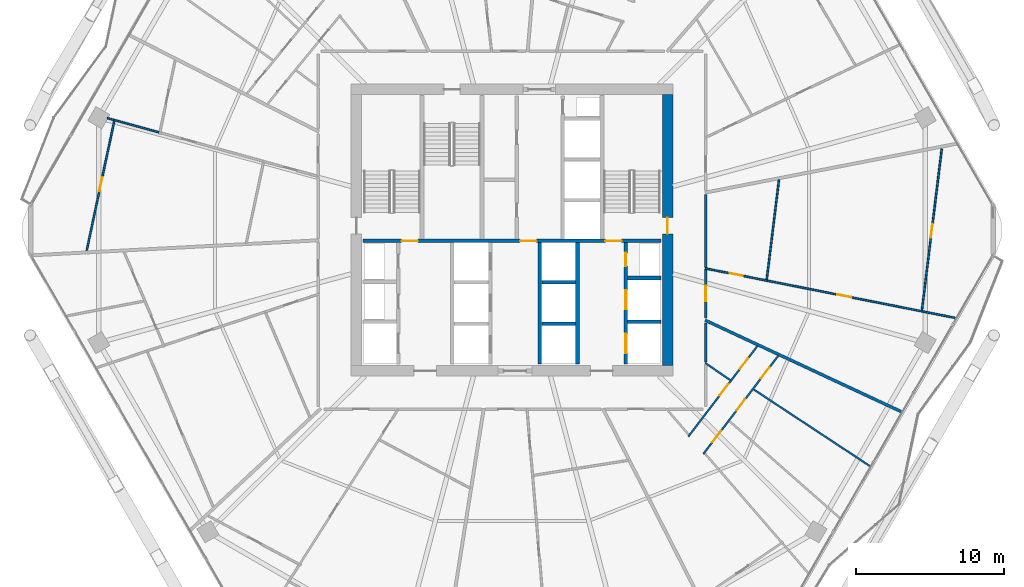
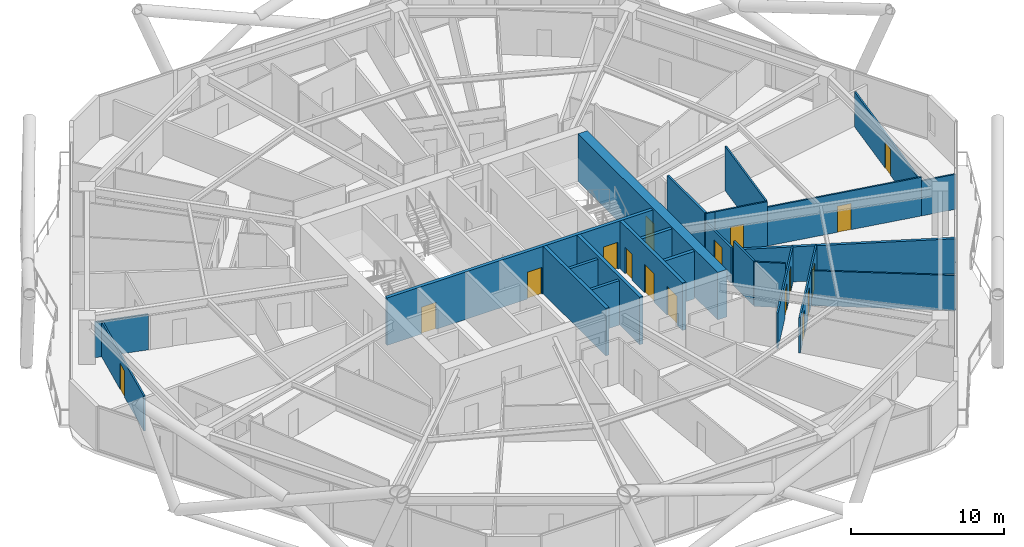
# One storey, part 29 of 34: 26 walls, 17 doors, 17 openings.
"""IFC4 building model written with IfcOpenShell, lengths in metres."""

from ifc_helpers import new_model, si_unit, direction, frame, frame_2d, origin, place, context, subcontext, project, spatial, rectangle, extrude, material, layer, layer_set, type_object, element, fill, save


model = new_model("IFC4")

# Units and contexts
model_context = context("Model", 3, precision=1e-05, world=origin(), true_north=direction((0.0, 1.0)))
body_context = subcontext(model_context, "Body", "Model", "MODEL_VIEW")
ifc_project = project(units=[si_unit("LENGTHUNIT", "METRE"), si_unit("AREAUNIT", "SQUARE_METRE"), si_unit("VOLUMEUNIT", "CUBIC_METRE"), si_unit("PLANEANGLEUNIT", "RADIAN"), si_unit("MASSUNIT", "GRAM", prefix="KILO")], contexts=[model_context])

# Site, building, storey
site_placement = place(None, origin())
site = spatial("IfcSite", under=ifc_project, at=site_placement, CompositionType="ELEMENT")
building_placement = place(site_placement, origin())
building = spatial("IfcBuilding", under=site, at=building_placement, Name="Zuhravey Tower", CompositionType="ELEMENT")
storey_placement = place(building_placement, frame((0.0, 0.0, 130.39990234375)))
storey = spatial("IfcBuildingStorey", under=building, at=storey_placement, Name="L32", CompositionType="ELEMENT", Elevation=130.39990234375)

# Wall, opening, door
ifc_material_1 = material(Name="Concrete C60/75", Category="concrete")
ifc_layer_1 = layer(ifc_material_1, 0.699951171875)
ifc_layer_set_1 = layer_set([ifc_layer_1], Name="Concrete C60/75")
wall_type_1 = type_object("IfcWallType", Name="Core Shear Wall 700", PredefinedType="SHEAR", material=ifc_layer_set_1)
wall_1_placement = place(storey_placement, frame((46.5, 22.85009765625, 0.0), z_axis=(0.0, 0.0, 1.0), x_axis=(0.0, 1.0, 0.0)))
wall_1 = element("IfcWall", 1, at=wall_1_placement, inside=storey, type_object=wall_type_1, Name="L32 East Core Shear Wall CW70", PredefinedType="SHEAR", context=body_context, shape_type="SweptSolid", body=[
    extrude(rectangle(XDim=18.2998046875, YDim=0.699951171875, at=frame_2d((9.14990234375, 0.0))), origin(), (0.0, 0.0, 1.0), 3.800048828125),
])
opening_1_placement = place(wall_1_placement, frame((8.89990234375, 0.0, 0.0)))
opening_1 = element("IfcOpeningElement", 2, at=opening_1_placement, cuts=wall_1, Name="Opening STD1", PredefinedType="OPENING", context=body_context, shape_type="SweptSolid", body=[
    extrude(rectangle(XDim=1.10009765625, YDim=2.14990234375, at=frame_2d((0.550048828125, 1.074951171875))), frame((0.0, 0.362060546875, 0.0), z_axis=(0.0, -1.0, 0.0), x_axis=(1.0, 0.0, 0.0)), (0.0, 0.0, 1.0), 0.723876953125),
])
ifc_material_2 = material(Name="Galvanised fire-rated steel leaf", Category="steel")
door_type_1 = type_object("IfcDoorType", Name="Protected Stair Fire Door 1100x2150", OperationType="NOTDEFINED", PredefinedType="USERDEFINED", material=ifc_material_2)
door_1_placement = place(opening_1_placement, origin())
door_1 = element("IfcDoor", 3, at=door_1_placement, inside=storey, type_object=door_type_1, Name="L32 Stair ST2 Door", ObjectType="EXITDOOR", OperationType="SINGLE_SWING_LEFT", OverallHeight=2.14990234375, OverallWidth=1.10009765625, PredefinedType="USERDEFINED", context=body_context, shape_type="SweptSolid", body=[
    extrude(rectangle(XDim=1.10009765625, YDim=2.14990234375, at=frame_2d((0.550048828125, 1.074951171875))), frame((0.0, 0.02490234375, 0.0), z_axis=(0.0, -1.0, 0.0), x_axis=(1.0, 0.0, 0.0)), (0.0, 0.0, 1.0), 0.050048828125),
])
fill(opening_1, door_1)

ifc_material_3 = material(Name="Gypsum fire-rated stud partition")
ifc_layer_2 = layer(ifc_material_3, 0.159912109375)
ifc_layer_set_2 = layer_set([ifc_layer_2], Name="Gypsum fire-rated stud partition")
wall_type_2 = type_object("IfcWallType", Name="Corridor Fire Partition 160", PredefinedType="PARTITIONING", material=ifc_layer_set_2)
wall_2_placement = place(storey_placement, frame((49.080078125, 26.06103515625, 0.0), z_axis=(0.0, 0.0, 1.0), x_axis=(0.0, 1.0, 0.0)))
wall_2 = element("IfcWall", 4, at=wall_2_placement, inside=storey, type_object=wall_type_2, Name="L32 IW16 Partition 066", PredefinedType="PARTITIONING", context=body_context, shape_type="SweptSolid", body=[
    extrude(rectangle(XDim=3.32861328125, YDim=0.159912109375, at=frame_2d((1.664306640625, 0.0))), origin(), (0.0, 0.0, 1.0), 2.85009765625),
])
opening_2_placement = place(wall_2_placement, frame((1.139404296875, 0.0, 0.0)))
opening_2 = element("IfcOpeningElement", 5, at=opening_2_placement, cuts=wall_2, Name="Opening APD1", PredefinedType="OPENING", context=body_context, shape_type="SweptSolid", body=[
    extrude(rectangle(XDim=1.050048828125, YDim=2.14990234375, at=frame_2d((0.52490234375, 1.074951171875))), frame((0.0, 0.092041015625, 0.0), z_axis=(0.0, -1.0, 0.0), x_axis=(1.0, 0.0, 0.0)), (0.0, 0.0, 1.0), 0.183837890625),
])
ifc_material_4 = material(Name="Solid-core oak fire-rated leaf")
door_type_2 = type_object("IfcDoorType", Name="Apartment Entrance Fire Door 1050x2150", OperationType="NOTDEFINED", PredefinedType="DOOR", material=ifc_material_4)
door_2_placement = place(opening_2_placement, frame((1.050048828125, 0.0, 0.0), z_axis=(0.0, 0.0, 1.0), x_axis=(-1.0, 0.0, 0.0)))
door_2 = element("IfcDoor", 6, at=door_2_placement, inside=storey, type_object=door_type_2, Name="L32 Door 066.1", OperationType="SINGLE_SWING_RIGHT", OverallHeight=2.14990234375, OverallWidth=1.050048828125, PredefinedType="DOOR", context=body_context, shape_type="SweptSolid", body=[
    extrude(rectangle(XDim=1.050048828125, YDim=2.14990234375, at=frame_2d((0.52490234375, 1.074951171875))), frame((0.0, 0.02490234375, 0.0), z_axis=(0.0, -1.0, 0.0), x_axis=(1.0, 0.0, 0.0)), (0.0, 0.0, 1.0), 0.050048828125),
])
fill(opening_2, door_2)

# Walls
wall_3_placement = place(storey_placement, frame((49.080078125, 23.093505859375, 0.0), z_axis=(0.0, 0.0, 1.0), x_axis=(0.0, 1.0, 0.0)))
element("IfcWall", 7, at=wall_3_placement, inside=storey, type_object=wall_type_2, Name="L32 IW16 Partition 142", PredefinedType="PARTITIONING", context=body_context, shape_type="SweptSolid", body=[
    extrude(rectangle(XDim=2.6455078125, YDim=0.159912109375, at=frame_2d((1.32275390625, 0.0))), origin(), (0.0, 0.0, 1.0), 3.550048828125),
])
wall_4_placement = place(storey_placement, frame((49.080078125, 29.4794921875, 0.0), z_axis=(0.0, 0.0, 1.0), x_axis=(0.0, 1.0, 0.0)))
element("IfcWall", 8, at=wall_4_placement, inside=storey, type_object=wall_type_2, Name="L32 IW16 Partition 143", PredefinedType="PARTITIONING", context=body_context, shape_type="SweptSolid", body=[
    extrude(rectangle(XDim=4.92431640625, YDim=0.159912109375, at=frame_2d((2.462158203125, 0.0))), origin(), (0.0, 0.0, 1.0), 3.550048828125),
])

# Wall, openings, doors
ifc_material_5 = material(Name="Concrete C50/60", Category="concrete")
ifc_layer_3 = layer(ifc_material_5, 0.25)
ifc_layer_set_3 = layer_set([ifc_layer_3], Name="Concrete C50/60")
wall_type_3 = type_object("IfcWallType", Name="Firefighting Shaft & Stair Wall 250", PredefinedType="SOLIDWALL", material=ifc_layer_set_3)
wall_5_placement = place(storey_placement, frame((25.949951171875, 31.27490234375, 0.0), z_axis=(0.0, 0.0, 1.0), x_axis=(1.0, 0.0, 0.0)))
wall_5 = element("IfcWall", 9, at=wall_5_placement, inside=storey, type_object=wall_type_3, Name="L32 FW25 Shaft Wall 003", PredefinedType="SOLIDWALL", context=body_context, shape_type="SweptSolid", body=[
    extrude(rectangle(XDim=20.10009765625, YDim=0.25, at=frame_2d((10.050048828125, 0.0))), origin(), (0.0, 0.0, 1.0), 3.800048828125),
])
opening_3_placement = place(wall_5_placement, frame((2.60009765625, 0.0, 0.0)))
opening_3 = element("IfcOpeningElement", 10, at=opening_3_placement, cuts=wall_5, Name="Opening STD1", PredefinedType="OPENING", context=body_context, shape_type="SweptSolid", body=[
    extrude(rectangle(XDim=1.10009765625, YDim=2.14990234375, at=frame_2d((0.550048828125, 1.074951171875))), frame((0.0, 0.136962890625, 0.0), z_axis=(0.0, -1.0, 0.0), x_axis=(1.0, 0.0, 0.0)), (0.0, 0.0, 1.0), 0.27392578125),
])
opening_4_placement = place(wall_5_placement, frame((10.60009765625, 0.0, 0.0)))
opening_4 = element("IfcOpeningElement", 11, at=opening_4_placement, cuts=wall_5, Name="Opening STD1", PredefinedType="OPENING", context=body_context, shape_type="SweptSolid", body=[
    extrude(rectangle(XDim=1.10009765625, YDim=2.14990234375, at=frame_2d((0.550048828125, 1.074951171875))), frame((0.0, 0.136962890625, 0.0), z_axis=(0.0, -1.0, 0.0), x_axis=(1.0, 0.0, 0.0)), (0.0, 0.0, 1.0), 0.27392578125),
])
opening_5_placement = place(wall_5_placement, frame((16.35009765625, 0.0, 0.0)))
opening_5 = element("IfcOpeningElement", 12, at=opening_5_placement, cuts=wall_5, Name="Opening STD1", PredefinedType="OPENING", context=body_context, shape_type="SweptSolid", body=[
    extrude(rectangle(XDim=1.10009765625, YDim=2.14990234375, at=frame_2d((0.550048828125, 1.074951171875))), frame((0.0, 0.136962890625, 0.0), z_axis=(0.0, -1.0, 0.0), x_axis=(1.0, 0.0, 0.0)), (0.0, 0.0, 1.0), 0.27392578125),
])
door_3_placement = place(opening_3_placement, origin())
door_3 = element("IfcDoor", 13, at=door_3_placement, inside=storey, type_object=door_type_1, Name="L32 FFL-W to ST1 Door", ObjectType="EXITDOOR", OperationType="SINGLE_SWING_LEFT", OverallHeight=2.14990234375, OverallWidth=1.10009765625, PredefinedType="USERDEFINED", context=body_context, shape_type="SweptSolid", body=[
    extrude(rectangle(XDim=1.10009765625, YDim=2.14990234375, at=frame_2d((0.550048828125, 1.074951171875))), frame((0.0, 0.02490234375, 0.0), z_axis=(0.0, -1.0, 0.0), x_axis=(1.0, 0.0, 0.0)), (0.0, 0.0, 1.0), 0.050048828125),
])
fill(opening_3, door_3)
door_4_placement = place(opening_4_placement, origin())
door_4 = element("IfcDoor", 14, at=door_4_placement, inside=storey, type_object=door_type_1, Name="L32 Core Lobby Link Door", ObjectType="EXITDOOR", OperationType="SINGLE_SWING_RIGHT", OverallHeight=2.14990234375, OverallWidth=1.10009765625, PredefinedType="USERDEFINED", context=body_context, shape_type="SweptSolid", body=[
    extrude(rectangle(XDim=1.10009765625, YDim=2.14990234375, at=frame_2d((0.550048828125, 1.074951171875))), frame((0.0, 0.02490234375, 0.0), z_axis=(0.0, -1.0, 0.0), x_axis=(1.0, 0.0, 0.0)), (0.0, 0.0, 1.0), 0.050048828125),
])
fill(opening_4, door_4)
door_5_placement = place(opening_5_placement, origin())
door_5 = element("IfcDoor", 15, at=door_5_placement, inside=storey, type_object=door_type_1, Name="L32 FFL-E to ST2 Door", ObjectType="EXITDOOR", OperationType="SINGLE_SWING_LEFT", OverallHeight=2.14990234375, OverallWidth=1.10009765625, PredefinedType="USERDEFINED", context=body_context, shape_type="SweptSolid", body=[
    extrude(rectangle(XDim=1.10009765625, YDim=2.14990234375, at=frame_2d((0.550048828125, 1.074951171875))), frame((0.0, 0.02490234375, 0.0), z_axis=(0.0, -1.0, 0.0), x_axis=(1.0, 0.0, 0.0)), (0.0, 0.0, 1.0), 0.050048828125),
])
fill(opening_5, door_5)

# Walls
for number, where, z_axis, x_axis, name in (
    (16, (37.875, 22.949951171875, 0.0), (0.0, 0.0, 1.0), (0.0, 1.0, 0.0), "L32 FW25 Shaft Wall 014"),
    (17, (40.425048828125, 22.949951171875, 0.0), (0.0, 0.0, 1.0), (0.0, 1.0, 0.0), "L32 FW25 Shaft Wall 015"),
):
    element("IfcWall", number, at=place(storey_placement, frame(where, z_axis=z_axis, x_axis=x_axis)), inside=storey, type_object=wall_type_3, Name=name, PredefinedType="SOLIDWALL", context=body_context, shape_type="SweptSolid", body=[
        extrude(rectangle(XDim=8.199951171875, YDim=0.25, at=frame_2d((4.10009765625, 0.0))), origin(), (0.0, 0.0, 1.0), 3.800048828125),
    ])
for number, where, z_axis, x_axis, name in (
    (18, (43.800048828125, 25.824951171875, 0.0), (0.0, 0.0, 1.0), (1.0, 0.0, 0.0), "L32 FW25 Shaft Wall 016"),
    (19, (43.800048828125, 28.77490234375, 0.0), (0.0, 0.0, 1.0), (1.0, 0.0, 0.0), "L32 FW25 Shaft Wall 017"),
):
    element("IfcWall", number, at=place(storey_placement, frame(where, z_axis=z_axis, x_axis=x_axis)), inside=storey, type_object=wall_type_3, Name=name, PredefinedType="SOLIDWALL", context=body_context, shape_type="SweptSolid", body=[
        extrude(rectangle(XDim=2.25, YDim=0.25, at=frame_2d((1.125, 0.0))), origin(), (0.0, 0.0, 1.0), 3.800048828125),
    ])

# Wall, openings, doors
wall_6_placement = place(storey_placement, frame((43.675048828125, 22.949951171875, 0.0), z_axis=(0.0, 0.0, 1.0), x_axis=(0.0, 1.0, 0.0)))
wall_6 = element("IfcWall", 20, at=wall_6_placement, inside=storey, type_object=wall_type_3, Name="L32 FW25 Shaft Wall 018", PredefinedType="SOLIDWALL", context=body_context, shape_type="SweptSolid", body=[
    extrude(rectangle(XDim=8.199951171875, YDim=0.25, at=frame_2d((4.10009765625, 0.0))), origin(), (0.0, 0.0, 1.0), 3.800048828125),
])
opening_6_placement = place(wall_6_placement, frame((0.75, 0.0, 0.0)))
opening_6 = element("IfcOpeningElement", 21, at=opening_6_placement, cuts=wall_6, Name="Opening LD2", PredefinedType="OPENING", context=body_context, shape_type="SweptSolid", body=[
    extrude(rectangle(XDim=1.300048828125, YDim=2.300048828125, at=frame_2d((0.64990234375, 1.14990234375))), frame((0.0, 0.136962890625, 0.0), z_axis=(0.0, -1.0, 0.0), x_axis=(1.0, 0.0, 0.0)), (0.0, 0.0, 1.0), 0.27392578125),
])
opening_7_placement = place(wall_6_placement, frame((3.699951171875, 0.0, 0.0)))
opening_7 = element("IfcOpeningElement", 22, at=opening_7_placement, cuts=wall_6, Name="Opening LD2", PredefinedType="OPENING", context=body_context, shape_type="SweptSolid", body=[
    extrude(rectangle(XDim=1.300048828125, YDim=2.300048828125, at=frame_2d((0.64990234375, 1.14990234375))), frame((0.0, 0.136962890625, 0.0), z_axis=(0.0, -1.0, 0.0), x_axis=(1.0, 0.0, 0.0)), (0.0, 0.0, 1.0), 0.27392578125),
])
opening_8_placement = place(wall_6_placement, frame((6.6201171875, 0.0, 0.0)))
opening_8 = element("IfcOpeningElement", 23, at=opening_8_placement, cuts=wall_6, Name="Opening RSD1", PredefinedType="OPENING", context=body_context, shape_type="SweptSolid", body=[
    extrude(rectangle(XDim=0.89990234375, YDim=2.10009765625, at=frame_2d((0.449951171875, 1.050048828125))), frame((0.0, 0.136962890625, 0.0), z_axis=(0.0, -1.0, 0.0), x_axis=(1.0, 0.0, 0.0)), (0.0, 0.0, 1.0), 0.27392578125),
])
ifc_material_6 = material(Name="Brushed stainless steel", Category="steel")
door_type_3 = type_object("IfcDoorType", Name="Freight & Stretcher Lift Sliding Door 1300x2300", OperationType="DOUBLE_DOOR_SLIDING", PredefinedType="DOOR", material=ifc_material_6)
door_6_placement = place(opening_6_placement, origin())
door_6 = element("IfcDoor", 24, at=door_6_placement, inside=storey, type_object=door_type_3, Name="L32 Lift FF2 Landing Door", OperationType="DOUBLE_DOOR_SLIDING", OverallHeight=2.300048828125, OverallWidth=1.300048828125, PredefinedType="DOOR", context=body_context, shape_type="SweptSolid", body=[
    extrude(rectangle(XDim=1.300048828125, YDim=2.300048828125, at=frame_2d((0.64990234375, 1.14990234375))), frame((0.0, 0.02490234375, 0.0), z_axis=(0.0, -1.0, 0.0), x_axis=(1.0, 0.0, 0.0)), (0.0, 0.0, 1.0), 0.050048828125),
])
fill(opening_6, door_6)
door_7_placement = place(opening_7_placement, origin())
door_7 = element("IfcDoor", 25, at=door_7_placement, inside=storey, type_object=door_type_3, Name="L32 Lift SV1 Landing Door", OperationType="DOUBLE_DOOR_SLIDING", OverallHeight=2.300048828125, OverallWidth=1.300048828125, PredefinedType="DOOR", context=body_context, shape_type="SweptSolid", body=[
    extrude(rectangle(XDim=1.300048828125, YDim=2.300048828125, at=frame_2d((0.64990234375, 1.14990234375))), frame((0.0, 0.02490234375, 0.0), z_axis=(0.0, -1.0, 0.0), x_axis=(1.0, 0.0, 0.0)), (0.0, 0.0, 1.0), 0.050048828125),
])
fill(opening_7, door_7)
ifc_material_7 = material(Name="Galvanised fire-rated steel access leaf", Category="steel")
door_type_4 = type_object("IfcDoorType", Name="Riser & Shaft Access Fire Door 900x2100", OperationType="NOTDEFINED", PredefinedType="DOOR", material=ifc_material_7)
door_8_placement = place(opening_8_placement, origin())
door_8 = element("IfcDoor", 26, at=door_8_placement, inside=storey, type_object=door_type_4, Name="L32 Plumbing Riser Door", OperationType="SINGLE_SWING_LEFT", OverallHeight=2.10009765625, OverallWidth=0.89990234375, PredefinedType="DOOR", context=body_context, shape_type="SweptSolid", body=[
    extrude(rectangle(XDim=0.89990234375, YDim=2.10009765625, at=frame_2d((0.449951171875, 1.050048828125))), frame((0.0, 0.02490234375, 0.0), z_axis=(0.0, -1.0, 0.0), x_axis=(1.0, 0.0, 0.0)), (0.0, 0.0, 1.0), 0.050048828125),
])
fill(opening_8, door_8)

# Walls
ifc_material_8 = material(Name="Gypsum double-stud party assembly")
ifc_layer_4 = layer(ifc_material_8, 0.199951171875)
ifc_layer_set_4 = layer_set([ifc_layer_4], Name="Gypsum double-stud party assembly")
wall_type_4 = type_object("IfcWallType", Name="Inter-Tenancy Party Wall 200", PredefinedType="PARTITIONING", material=ifc_layer_set_4)
wall_7_placement = place(storey_placement, frame((49.0400390625, 25.919189453125, 0.0), z_axis=(0.0, 0.0, 1.0), x_axis=(0.90630970467, -0.422614149338, 0.0)))
element("IfcWall", 27, at=wall_7_placement, inside=storey, type_object=wall_type_4, Name="L32 IW20 Partition 124", PredefinedType="PARTITIONING", context=body_context, shape_type="SweptSolid", body=[
    extrude(rectangle(XDim=14.680908203125, YDim=0.199951171875, at=frame_2d((7.34033203125, 0.0))), origin(), (0.0, 0.0, 1.0), 2.800048828125),
])
ifc_material_9 = material(Name="Gypsum acoustic stud assembly")
ifc_layer_5 = layer(ifc_material_9, 0.219970703125)
ifc_layer_set_5 = layer_set([ifc_layer_5], Name="Gypsum acoustic stud assembly")
wall_type_5 = type_object("IfcWallType", Name="School Acoustic Compartment Wall 220", PredefinedType="PARTITIONING", material=ifc_layer_set_5)
for number, where, z_axis, x_axis, name in (
    (28, (38.008056640625, 25.675048828125, 0.0), (0.0, 0.0, 1.0), (1.0, 0.0, 0.0), "L32 IW22 Partition 073"),
    (29, (38.008056640625, 28.47509765625, 0.0), (0.0, 0.0, 1.0), (1.0, 0.0, 0.0), "L32 IW22 Partition 074"),
):
    element("IfcWall", number, at=place(storey_placement, frame(where, z_axis=z_axis, x_axis=x_axis)), inside=storey, type_object=wall_type_5, Name=name, PredefinedType="PARTITIONING", context=body_context, shape_type="SweptSolid", body=[
        extrude(rectangle(XDim=2.283935546875, YDim=0.219970703125, at=frame_2d((1.14208984375, 0.0))), origin(), (0.0, 0.0, 1.0), 3.550048828125),
    ])
ifc_material_10 = material(Name="Gypsum metal-stud partition")
ifc_layer_6 = layer(ifc_material_10, 0.1201171875)
ifc_layer_set_6 = layer_set([ifc_layer_6], Name="Gypsum metal-stud partition")
wall_type_6 = type_object("IfcWallType", Name="Unit Internal Partition 120", PredefinedType="PARTITIONING", material=ifc_layer_set_6)
wall_8_placement = place(storey_placement, frame((12.165283203125, 38.60107421875, 0.0), z_axis=(0.0, 0.0, 1.0), x_axis=(-0.963725092481, 0.266896882939, 0.0)))
element("IfcWall", 30, at=wall_8_placement, inside=storey, type_object=wall_type_6, Name="L32 IW12 Partition 040", PredefinedType="PARTITIONING", context=body_context, shape_type="SweptSolid", body=[
    extrude(rectangle(XDim=3.1357421875, YDim=0.1201171875, at=frame_2d((1.56787109375, 0.0))), origin(), (0.0, 0.0, 1.0), 2.85009765625),
])

# Wall, opening, door
wall_9_placement = place(storey_placement, frame((9.1533203125, 39.364501953125, 0.0), z_axis=(0.0, 0.0, 1.0), x_axis=(-0.207912484837, -0.978147431959, 0.0)))
wall_9 = element("IfcWall", 31, at=wall_9_placement, inside=storey, type_object=wall_type_6, Name="L32 IW12 Partition 041", PredefinedType="PARTITIONING", context=body_context, shape_type="SweptSolid", body=[
    extrude(rectangle(XDim=8.91259765625, YDim=0.1201171875, at=frame_2d((4.456298828125, 0.0))), origin(), (0.0, 0.0, 1.0), 2.800048828125),
])
opening_9_placement = place(wall_9_placement, frame((3.897216796875, 0.0, 0.0)))
opening_9 = element("IfcOpeningElement", 32, at=opening_9_placement, cuts=wall_9, Name="Opening IND1", PredefinedType="OPENING", context=body_context, shape_type="SweptSolid", body=[
    extrude(rectangle(XDim=0.949951171875, YDim=2.10009765625, at=frame_2d((0.47509765625, 1.050048828125))), frame((0.0, 0.072021484375, 0.0), z_axis=(0.0, -1.0, 0.0), x_axis=(1.0, 0.0, 0.0)), (0.0, 0.0, 1.0), 0.14404296875),
])
ifc_material_11 = material(Name="Painted engineered timber leaf", Category="wood")
door_type_5 = type_object("IfcDoorType", Name="Internal Room & Bedroom Door 950x2100", OperationType="NOTDEFINED", PredefinedType="DOOR", material=ifc_material_11)
door_9_placement = place(opening_9_placement, frame((0.949951171875, 0.0, 0.0), z_axis=(0.0, 0.0, 1.0), x_axis=(-1.0, 0.0, 0.0)))
door_9 = element("IfcDoor", 33, at=door_9_placement, inside=storey, type_object=door_type_5, Name="Apartment L32-05 Kitchen Door", OperationType="SINGLE_SWING_LEFT", OverallHeight=2.10009765625, OverallWidth=0.949951171875, PredefinedType="DOOR", context=body_context, shape_type="SweptSolid", body=[
    extrude(rectangle(XDim=0.949951171875, YDim=2.10009765625, at=frame_2d((0.47509765625, 1.050048828125))), frame((0.0, 0.02490234375, 0.0), z_axis=(0.0, -1.0, 0.0), x_axis=(1.0, 0.0, 0.0)), (0.0, 0.0, 1.0), 0.050048828125),
])
fill(opening_9, door_9)

# Wall, openings, doors
wall_10_placement = place(storey_placement, frame((47.901123046875, 18.069091796875, 0.0), z_axis=(0.0, 0.0, 1.0), x_axis=(0.606532258444, 0.795058877988, 0.0)))
wall_10 = element("IfcWall", 34, at=wall_10_placement, inside=storey, type_object=wall_type_6, Name="L32 IW12 Partition 060", PredefinedType="PARTITIONING", context=body_context, shape_type="SweptSolid", body=[
    extrude(rectangle(XDim=7.71435546875, YDim=0.1201171875, at=frame_2d((3.857177734375, 0.0))), origin(), (0.0, 0.0, 1.0), 2.85009765625),
])
opening_10_placement = place(wall_10_placement, frame((3.4892578125, 0.0, 0.0)))
opening_10 = element("IfcOpeningElement", 35, at=opening_10_placement, cuts=wall_10, Name="Opening IND1", PredefinedType="OPENING", context=body_context, shape_type="SweptSolid", body=[
    extrude(rectangle(XDim=0.949951171875, YDim=2.10009765625, at=frame_2d((0.47509765625, 1.050048828125))), frame((0.0, 0.072021484375, 0.0), z_axis=(0.0, -1.0, 0.0), x_axis=(1.0, 0.0, 0.0)), (0.0, 0.0, 1.0), 0.14404296875),
])
opening_11_placement = place(wall_10_placement, frame((5.72900390625, 0.0, 0.0)))
opening_11 = element("IfcOpeningElement", 36, at=opening_11_placement, cuts=wall_10, Name="Opening WCD1", PredefinedType="OPENING", context=body_context, shape_type="SweptSolid", body=[
    extrude(rectangle(XDim=0.89990234375, YDim=2.10009765625, at=frame_2d((0.449951171875, 1.050048828125))), frame((0.0, 0.072021484375, 0.0), z_axis=(0.0, -1.0, 0.0), x_axis=(1.0, 0.0, 0.0)), (0.0, 0.0, 1.0), 0.14404296875),
])
ifc_material_12 = material(Name="Moisture-resistant timber leaf", Category="wood")
door_type_6 = type_object("IfcDoorType", Name="Bathroom & WC Internal Door 900x2100", OperationType="NOTDEFINED", PredefinedType="DOOR", material=ifc_material_12)
door_10_placement = place(opening_11_placement, origin())
door_10 = element("IfcDoor", 37, at=door_10_placement, inside=storey, type_object=door_type_6, Name="Apartment L32-09 Bathroom Door", OperationType="SINGLE_SWING_RIGHT", OverallHeight=2.10009765625, OverallWidth=0.89990234375, PredefinedType="DOOR", context=body_context, shape_type="SweptSolid", body=[
    extrude(rectangle(XDim=0.89990234375, YDim=2.10009765625, at=frame_2d((0.449951171875, 1.050048828125))), frame((0.0, 0.02490234375, 0.0), z_axis=(0.0, -1.0, 0.0), x_axis=(1.0, 0.0, 0.0)), (0.0, 0.0, 1.0), 0.050048828125),
])
fill(opening_11, door_10)
door_11_placement = place(opening_10_placement, origin())
door_11 = element("IfcDoor", 38, at=door_11_placement, inside=storey, type_object=door_type_5, Name="Apartment L32-09 Kitchen Door", OperationType="SINGLE_SWING_LEFT", OverallHeight=2.10009765625, OverallWidth=0.949951171875, PredefinedType="DOOR", context=body_context, shape_type="SweptSolid", body=[
    extrude(rectangle(XDim=0.949951171875, YDim=2.10009765625, at=frame_2d((0.47509765625, 1.050048828125))), frame((0.0, 0.02490234375, 0.0), z_axis=(0.0, -1.0, 0.0), x_axis=(1.0, 0.0, 0.0)), (0.0, 0.0, 1.0), 0.050048828125),
])
fill(opening_10, door_11)

wall_11_placement = place(storey_placement, frame((48.91650390625, 16.893798828125, 0.0), z_axis=(0.0, 0.0, 1.0), x_axis=(0.606532810855, 0.795058456566, 0.0)))
wall_11 = element("IfcWall", 39, at=wall_11_placement, inside=storey, type_object=wall_type_6, Name="L32 IW12 Partition 061", PredefinedType="PARTITIONING", context=body_context, shape_type="SweptSolid", body=[
    extrude(rectangle(XDim=8.3515625, YDim=0.1201171875, at=frame_2d((4.17578125, 0.0))), origin(), (0.0, 0.0, 1.0), 2.85009765625),
])
opening_12_placement = place(wall_11_placement, frame((0.99267578125, 0.0, 0.0)))
opening_12 = element("IfcOpeningElement", 40, at=opening_12_placement, cuts=wall_11, Name="Opening IND1", PredefinedType="OPENING", context=body_context, shape_type="SweptSolid", body=[
    extrude(rectangle(XDim=0.949951171875, YDim=2.10009765625, at=frame_2d((0.47509765625, 1.050048828125))), frame((0.0, 0.072021484375, 0.0), z_axis=(0.0, -1.0, 0.0), x_axis=(1.0, 0.0, 0.0)), (0.0, 0.0, 1.0), 0.14404296875),
])
opening_13_placement = place(wall_11_placement, frame((3.70068359375, 0.0, 0.0)))
opening_13 = element("IfcOpeningElement", 41, at=opening_13_placement, cuts=wall_11, Name="Opening IND1", PredefinedType="OPENING", context=body_context, shape_type="SweptSolid", body=[
    extrude(rectangle(XDim=0.949951171875, YDim=2.10009765625, at=frame_2d((0.47509765625, 1.050048828125))), frame((0.0, 0.072021484375, 0.0), z_axis=(0.0, -1.0, 0.0), x_axis=(1.0, 0.0, 0.0)), (0.0, 0.0, 1.0), 0.14404296875),
])
opening_14_placement = place(wall_11_placement, frame((6.4091796875, 0.0, 0.0)))
opening_14 = element("IfcOpeningElement", 42, at=opening_14_placement, cuts=wall_11, Name="Opening IND1", PredefinedType="OPENING", context=body_context, shape_type="SweptSolid", body=[
    extrude(rectangle(XDim=0.949951171875, YDim=2.10009765625, at=frame_2d((0.47509765625, 1.050048828125))), frame((0.0, 0.072021484375, 0.0), z_axis=(0.0, -1.0, 0.0), x_axis=(1.0, 0.0, 0.0)), (0.0, 0.0, 1.0), 0.14404296875),
])
door_12_placement = place(opening_12_placement, frame((0.949951171875, 0.0, 0.0), z_axis=(0.0, 0.0, 1.0), x_axis=(-1.0, 0.0, 0.0)))
door_12 = element("IfcDoor", 43, at=door_12_placement, inside=storey, type_object=door_type_5, Name="Apartment L32-09 Bedroom 1 Door", OperationType="SINGLE_SWING_LEFT", OverallHeight=2.10009765625, OverallWidth=0.949951171875, PredefinedType="DOOR", context=body_context, shape_type="SweptSolid", body=[
    extrude(rectangle(XDim=0.949951171875, YDim=2.10009765625, at=frame_2d((0.47509765625, 1.050048828125))), frame((0.0, 0.02490234375, 0.0), z_axis=(0.0, -1.0, 0.0), x_axis=(1.0, 0.0, 0.0)), (0.0, 0.0, 1.0), 0.050048828125),
])
fill(opening_12, door_12)
door_13_placement = place(opening_13_placement, frame((0.949951171875, 0.0, 0.0), z_axis=(0.0, 0.0, 1.0), x_axis=(-1.0, 0.0, 0.0)))
door_13 = element("IfcDoor", 44, at=door_13_placement, inside=storey, type_object=door_type_5, Name="Apartment L32-09 Bedroom 2 Door", OperationType="SINGLE_SWING_RIGHT", OverallHeight=2.10009765625, OverallWidth=0.949951171875, PredefinedType="DOOR", context=body_context, shape_type="SweptSolid", body=[
    extrude(rectangle(XDim=0.949951171875, YDim=2.10009765625, at=frame_2d((0.47509765625, 1.050048828125))), frame((0.0, 0.02490234375, 0.0), z_axis=(0.0, -1.0, 0.0), x_axis=(1.0, 0.0, 0.0)), (0.0, 0.0, 1.0), 0.050048828125),
])
fill(opening_13, door_13)
door_14_placement = place(opening_14_placement, frame((0.949951171875, 0.0, 0.0), z_axis=(0.0, 0.0, 1.0), x_axis=(-1.0, 0.0, 0.0)))
door_14 = element("IfcDoor", 45, at=door_14_placement, inside=storey, type_object=door_type_5, Name="Apartment L32-09 Bedroom 3 Door", OperationType="SINGLE_SWING_LEFT", OverallHeight=2.10009765625, OverallWidth=0.949951171875, PredefinedType="DOOR", context=body_context, shape_type="SweptSolid", body=[
    extrude(rectangle(XDim=0.949951171875, YDim=2.10009765625, at=frame_2d((0.47509765625, 1.050048828125))), frame((0.0, 0.02490234375, 0.0), z_axis=(0.0, -1.0, 0.0), x_axis=(1.0, 0.0, 0.0)), (0.0, 0.0, 1.0), 0.050048828125),
])
fill(opening_14, door_14)

# Wall, opening, door
wall_12_placement = place(storey_placement, frame((49.64990234375, 29.297119140625, 0.0), z_axis=(0.0, 0.0, 1.0), x_axis=(0.9809591767, -0.194214040813, 0.0)))
wall_12 = element("IfcWall", 46, at=wall_12_placement, inside=storey, type_object=wall_type_6, Name="L32 IW12 Partition 063", PredefinedType="PARTITIONING", context=body_context, shape_type="SweptSolid", body=[
    extrude(rectangle(XDim=3.629150390625, YDim=0.1201171875, at=frame_2d((1.814453125, 0.0))), origin(), (0.0, 0.0, 1.0), 3.550048828125),
])
opening_15_placement = place(wall_12_placement, frame((1.07421875, 0.0, 0.0)))
opening_15 = element("IfcOpeningElement", 47, at=opening_15_placement, cuts=wall_12, Name="Opening WCD1", PredefinedType="OPENING", context=body_context, shape_type="SweptSolid", body=[
    extrude(rectangle(XDim=0.89990234375, YDim=2.10009765625, at=frame_2d((0.449951171875, 1.050048828125))), frame((0.0, 0.072021484375, 0.0), z_axis=(0.0, -1.0, 0.0), x_axis=(1.0, 0.0, 0.0)), (0.0, 0.0, 1.0), 0.14404296875),
])
door_15_placement = place(opening_15_placement, origin())
door_15 = element("IfcDoor", 48, at=door_15_placement, inside=storey, type_object=door_type_6, Name="Apartment L32-10 Bathroom Door", OperationType="SINGLE_SWING_LEFT", OverallHeight=2.10009765625, OverallWidth=0.89990234375, PredefinedType="DOOR", context=body_context, shape_type="SweptSolid", body=[
    extrude(rectangle(XDim=0.89990234375, YDim=2.10009765625, at=frame_2d((0.449951171875, 1.050048828125))), frame((0.0, 0.02490234375, 0.0), z_axis=(0.0, -1.0, 0.0), x_axis=(1.0, 0.0, 0.0)), (0.0, 0.0, 1.0), 0.050048828125),
])
fill(opening_15, door_15)

wall_13_placement = place(storey_placement, frame((53.2099609375, 28.59228515625, 0.0), z_axis=(0.0, 0.0, 1.0), x_axis=(0.980957842049, -0.1942207819, 0.0)))
wall_13 = element("IfcWall", 49, at=wall_13_placement, inside=storey, type_object=wall_type_6, Name="L32 IW12 Partition 064", PredefinedType="PARTITIONING", context=body_context, shape_type="SweptSolid", body=[
    extrude(rectangle(XDim=10.678466796875, YDim=0.1201171875, at=frame_2d((5.33935546875, 0.0))), origin(), (0.0, 0.0, 1.0), 3.10009765625),
])
opening_16_placement = place(wall_13_placement, frame((4.839111328125, 0.0, 0.0)))
opening_16 = element("IfcOpeningElement", 50, at=opening_16_placement, cuts=wall_13, Name="Opening IND1", PredefinedType="OPENING", context=body_context, shape_type="SweptSolid", body=[
    extrude(rectangle(XDim=0.949951171875, YDim=2.10009765625, at=frame_2d((0.47509765625, 1.050048828125))), frame((0.0, 0.072021484375, 0.0), z_axis=(0.0, -1.0, 0.0), x_axis=(1.0, 0.0, 0.0)), (0.0, 0.0, 1.0), 0.14404296875),
])
door_16_placement = place(opening_16_placement, origin())
door_16 = element("IfcDoor", 51, at=door_16_placement, inside=storey, type_object=door_type_5, Name="Apartment L32-10 Home Office Door", OperationType="SINGLE_SWING_RIGHT", OverallHeight=2.10009765625, OverallWidth=0.949951171875, PredefinedType="DOOR", context=body_context, shape_type="SweptSolid", body=[
    extrude(rectangle(XDim=0.949951171875, YDim=2.10009765625, at=frame_2d((0.47509765625, 1.050048828125))), frame((0.0, 0.02490234375, 0.0), z_axis=(0.0, -1.0, 0.0), x_axis=(1.0, 0.0, 0.0)), (0.0, 0.0, 1.0), 0.050048828125),
])
fill(opening_16, door_16)

wall_14_placement = place(storey_placement, frame((63.668701171875, 26.5908203125, 0.0), z_axis=(0.0, 0.0, 1.0), x_axis=(0.121886685179, 0.992544022185, 0.0)))
wall_14 = element("IfcWall", 52, at=wall_14_placement, inside=storey, type_object=wall_type_6, Name="L32 IW12 Partition 065", PredefinedType="PARTITIONING", context=body_context, shape_type="SweptSolid", body=[
    extrude(rectangle(XDim=10.968505859375, YDim=0.1201171875, at=frame_2d((5.484375, 0.0))), origin(), (0.0, 0.0, 1.0), 2.800048828125),
])
opening_17_placement = place(wall_14_placement, frame((4.925048828125, 0.0, 0.0)))
opening_17 = element("IfcOpeningElement", 53, at=opening_17_placement, cuts=wall_14, Name="Opening IND1", PredefinedType="OPENING", context=body_context, shape_type="SweptSolid", body=[
    extrude(rectangle(XDim=0.949951171875, YDim=2.10009765625, at=frame_2d((0.47509765625, 1.050048828125))), frame((0.0, 0.072021484375, 0.0), z_axis=(0.0, -1.0, 0.0), x_axis=(1.0, 0.0, 0.0)), (0.0, 0.0, 1.0), 0.14404296875),
])
door_17_placement = place(opening_17_placement, frame((0.949951171875, 0.0, 0.0), z_axis=(0.0, 0.0, 1.0), x_axis=(-1.0, 0.0, 0.0)))
door_17 = element("IfcDoor", 54, at=door_17_placement, inside=storey, type_object=door_type_5, Name="Apartment L32-10 Bedroom 1 Door", OperationType="SINGLE_SWING_LEFT", OverallHeight=2.10009765625, OverallWidth=0.949951171875, PredefinedType="DOOR", context=body_context, shape_type="SweptSolid", body=[
    extrude(rectangle(XDim=0.949951171875, YDim=2.10009765625, at=frame_2d((0.47509765625, 1.050048828125))), frame((0.0, 0.02490234375, 0.0), z_axis=(0.0, -1.0, 0.0), x_axis=(1.0, 0.0, 0.0)), (0.0, 0.0, 1.0), 0.050048828125),
])
fill(opening_17, door_17)

# Walls
wall_15_placement = place(storey_placement, frame((9.143310546875, 39.43798828125, 0.0), z_axis=(0.0, 0.0, 1.0), x_axis=(-0.963794427179, 0.266646399072, 0.0)))
element("IfcWall", 55, at=wall_15_placement, inside=storey, type_object=wall_type_6, Name="L32 IW12 Partition 101", PredefinedType="PARTITIONING", context=body_context, shape_type="SweptSolid", body=[
    extrude(rectangle(XDim=0.479736328125, YDim=0.1201171875, at=frame_2d((0.23974609375, 0.0))), origin(), (0.0, 0.0, 1.0), 2.85009765625),
])
wall_16_placement = place(storey_placement, frame((49.030029296875, 23.04541015625, 0.0), z_axis=(0.0, 0.0, 1.0), x_axis=(0.824090441083, -0.5664582464, 0.0)))
element("IfcWall", 56, at=wall_16_placement, inside=storey, type_object=wall_type_6, Name="L32 IW12 Partition 118", PredefinedType="PARTITIONING", context=body_context, shape_type="SweptSolid", body=[
    extrude(rectangle(XDim=2.055419921875, YDim=0.1201171875, at=frame_2d((1.02783203125, 0.0))), origin(), (0.0, 0.0, 1.0), 3.550048828125),
])
wall_17_placement = place(storey_placement, frame((52.319091796875, 21.2421875, 0.0), z_axis=(0.0, 0.0, 1.0), x_axis=(0.834917563822, -0.550375019075, 0.0)))
element("IfcWall", 57, at=wall_17_placement, inside=storey, type_object=wall_type_6, Name="L32 IW12 Partition 120", PredefinedType="PARTITIONING", context=body_context, shape_type="SweptSolid", body=[
    extrude(rectangle(XDim=9.473388671875, YDim=0.1201171875, at=frame_2d((4.73681640625, 0.0))), origin(), (0.0, 0.0, 1.0), 2.800048828125),
])
wall_18_placement = place(storey_placement, frame((49.034912109375, 29.4189453125, 0.0), z_axis=(0.0, 0.0, 1.0), x_axis=(0.980938489324, -0.194318501855, 0.0)))
element("IfcWall", 58, at=wall_18_placement, inside=storey, type_object=wall_type_6, Name="L32 IW12 Partition 125", PredefinedType="PARTITIONING", context=body_context, shape_type="SweptSolid", body=[
    extrude(rectangle(XDim=0.626953125, YDim=0.1201171875, at=frame_2d((0.3134765625, 0.0))), origin(), (0.0, 0.0, 1.0), 3.550048828125),
])
wall_19_placement = place(storey_placement, frame((63.68505859375, 26.518310546875, 0.0), z_axis=(0.0, 0.0, 1.0), x_axis=(0.980958660601, -0.194216647569, 0.0)))
element("IfcWall", 59, at=wall_19_placement, inside=storey, type_object=wall_type_6, Name="L32 IW12 Partition 126", PredefinedType="PARTITIONING", context=body_context, shape_type="SweptSolid", body=[
    extrude(rectangle(XDim=2.373291015625, YDim=0.1201171875, at=frame_2d((1.1865234375, 0.0))), origin(), (0.0, 0.0, 1.0), 2.800048828125),
])
wall_20_placement = place(storey_placement, frame((53.193603515625, 28.664794921875, 0.0), z_axis=(0.0, 0.0, 1.0), x_axis=(0.121919936534, 0.992539938277, 0.0)))
element("IfcWall", 60, at=wall_20_placement, inside=storey, type_object=wall_type_6, Name="L32 IW12 Partition 127", PredefinedType="PARTITIONING", context=body_context, shape_type="SweptSolid", body=[
    extrude(rectangle(XDim=6.7783203125, YDim=0.1201171875, at=frame_2d((3.38916015625, 0.0))), origin(), (0.0, 0.0, 1.0), 3.550048828125),
])

save(model, "model.ifc")
